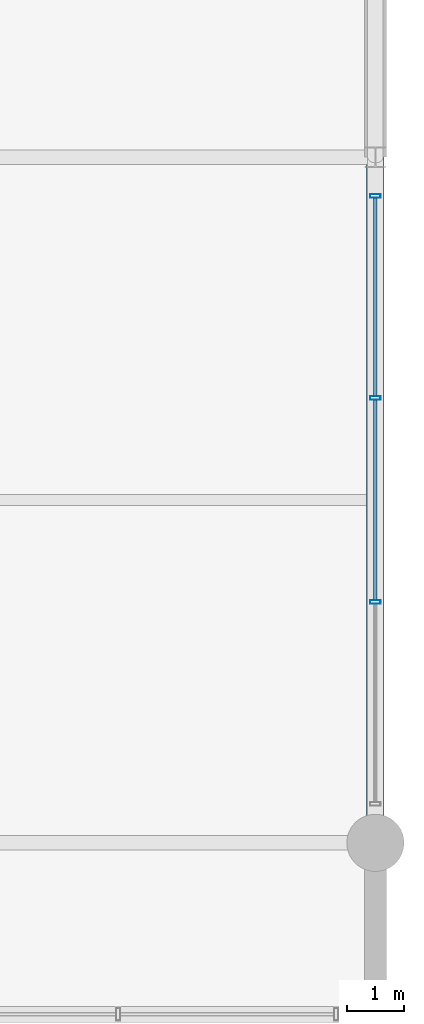
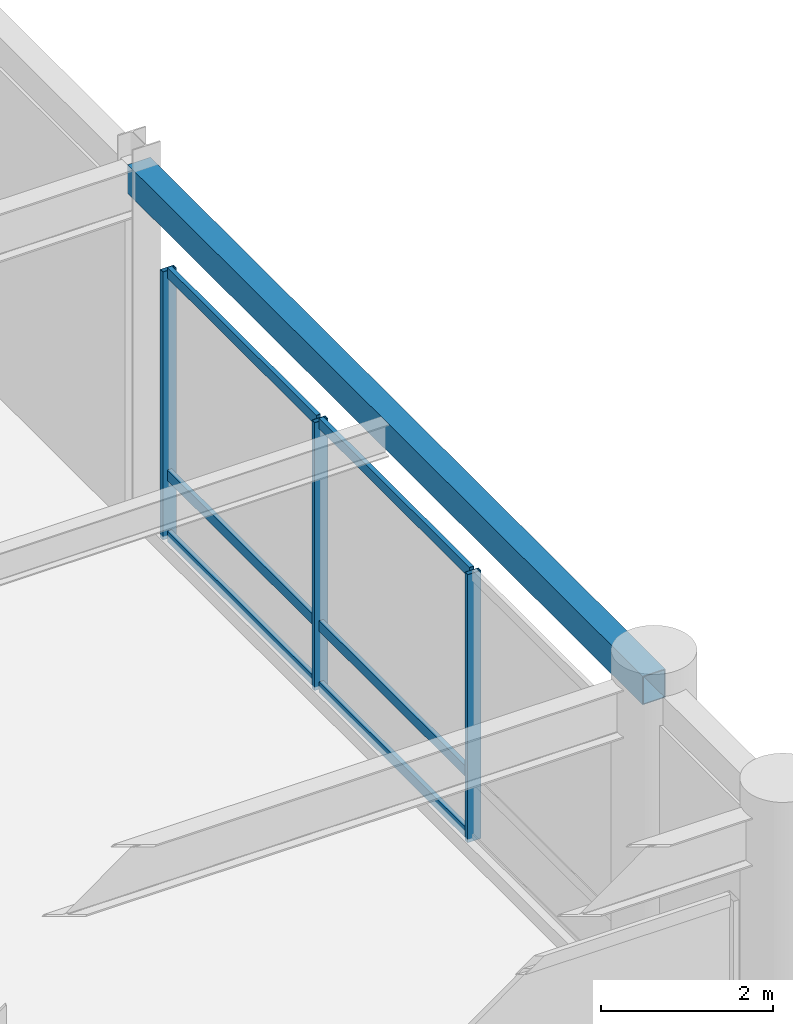
# One storey, part 66 of 100: 9 members, 1 beam, 1 element without a shape of its own.
"""IFC4 building model written with IfcOpenShell, lengths in metres."""

from ifc_helpers import new_model, si_unit, direction, frame, origin, origin_2d, place, context, subcontext, project, spatial, hollow_rectangle, extrude, material, material_profile, profile_set, type_object, element, aggregate, save


model = new_model("IFC4")

# Units and contexts
model_context = context("Model", 3, precision=1e-05, world=origin(), true_north=direction((0.0, 1.0)))
body_context = subcontext(model_context, "Body", "Model", "MODEL_VIEW")
ifc_project = project(units=[si_unit("LENGTHUNIT", "METRE"), si_unit("AREAUNIT", "SQUARE_METRE"), si_unit("VOLUMEUNIT", "CUBIC_METRE"), si_unit("PLANEANGLEUNIT", "RADIAN"), si_unit("MASSUNIT", "GRAM", prefix="KILO")], contexts=[model_context])

# Site, building, storey
site_placement = place(None, origin())
site = spatial("IfcSite", under=ifc_project, at=site_placement, CompositionType="ELEMENT")
building_placement = place(site_placement, origin())
building = spatial("IfcBuilding", under=site, at=building_placement, Name="Kaldorvane Square Convention Centre", CompositionType="ELEMENT")
storey_placement = place(building_placement, frame((0.0, 0.0, 18.0)))
storey = spatial("IfcBuildingStorey", under=building, at=storey_placement, Name="L03", CompositionType="ELEMENT", Elevation=18.0)

# Beam
ifc_material_1 = material(Name="Steel ASTM A500 Gr. C", Category="steel")
ifc_material_profile_1 = material_profile(ifc_material_1, hollow_rectangle(XDim=0.3047943115234375, YDim=0.406402587890625, WallThickness=0.0117950439453125, at=origin_2d()), Name="HSS16X12X1/2")
ifc_profile_set_1 = profile_set([ifc_material_profile_1], Name="Steel ASTM A500 Gr. C")
beam_type = type_object("IfcBeamType", Name="BM-SP-HSS16", PredefinedType="SPANDREL", material=ifc_profile_set_1)
beam_placement = place(storey_placement, frame((174.0, 84.0, 4.872802734375), z_axis=(0.0, 1.0, 0.0), x_axis=(-1.0, 0.0, 0.0)))
element("IfcBeam", 1, at=beam_placement, inside=storey, type_object=beam_type, Name="End Spandrel (L03)", PredefinedType="SPANDREL", context=body_context, shape_type="SweptSolid", body=[
    extrude(hollow_rectangle(XDim=0.3047943115234375, YDim=0.406402587890625, WallThickness=0.0117950439453125, at=origin_2d()), origin(), (0.0, 0.0, 1.0), 12.0),
])

# Curtain wall, members
ifc_material_2 = material(Name="Anodized Aluminum and Low-E Insulated Glazing", Category="aluminium")
curtain_wall_type = type_object("IfcCurtainWallType", Name="CW-UNI-P54-09", PredefinedType="USERDEFINED", material=ifc_material_2)
curtain_wall_placement = place(storey_placement, origin())
curtain_wall = element("IfcCurtainWall", 2, at=curtain_wall_placement, inside=storey, type_object=curtain_wall_type, Name="Curtain Wall CW-04 (L03)", ObjectType="UNITISED GLAZING", PredefinedType="USERDEFINED")
ifc_material_profile_2 = material_profile(ifc_material_2, hollow_rectangle(XDim=0.06500244140625, YDim=0.17999267578125, WallThickness=0.0034942626953125, at=origin_2d()), Name="CWM-180X65")
ifc_profile_set_2 = profile_set([ifc_material_profile_2], Name="Anodized Aluminum and Low-E Insulated Glazing")
member_type_1 = type_object("IfcMemberType", Name="CW-MUL-180", PredefinedType="MULLION", material=ifc_profile_set_2)
member_1_placement = place(storey_placement, frame((174.0, 88.21665954589844, 0.149993896484375), z_axis=(0.0, 0.0, 1.0), x_axis=(0.0, 1.0, 0.0)))
member_1 = element("IfcMember", 3, at=member_1_placement, type_object=member_type_1, Name="CW-04 mullion 2", PredefinedType="MULLION", context=body_context, shape_type="SweptSolid", body=[
    extrude(hollow_rectangle(XDim=0.06500244140625, YDim=0.17999267578125, WallThickness=0.0034942626953125, at=origin_2d()), origin(), (0.0, 0.0, 1.0), 3.8100128173828125),
])
member_2_placement = place(storey_placement, frame((174.0, 91.78334045410156, 0.149993896484375), z_axis=(0.0, 0.0, 1.0), x_axis=(0.0, 1.0, 0.0)))
member_2 = element("IfcMember", 4, at=member_2_placement, type_object=member_type_1, Name="CW-04 mullion 3", PredefinedType="MULLION", context=body_context, shape_type="SweptSolid", body=[
    extrude(hollow_rectangle(XDim=0.06500244140625, YDim=0.17999267578125, WallThickness=0.0034942626953125, at=origin_2d()), origin(), (0.0, 0.0, 1.0), 3.8100128173828125),
])
member_3_placement = place(storey_placement, frame((174.0, 95.3175048828125, 0.149993896484375), z_axis=(0.0, 0.0, 1.0), x_axis=(0.0, 1.0, 0.0)))
member_3 = element("IfcMember", 5, at=member_3_placement, type_object=member_type_1, Name="CW-04 mullion 4", PredefinedType="MULLION", context=body_context, shape_type="SweptSolid", body=[
    extrude(hollow_rectangle(XDim=0.06500244140625, YDim=0.17999267578125, WallThickness=0.0034942626953125, at=origin_2d()), origin(), (0.0, 0.0, 1.0), 3.8100128173828125),
])
ifc_material_profile_3 = material_profile(ifc_material_2, hollow_rectangle(XDim=0.05999755859375, YDim=0.149993896484375, WallThickness=0.003204345703125, at=origin_2d()), Name="CWT-150X60")
ifc_profile_set_3 = profile_set([ifc_material_profile_3], Name="Anodized Aluminum and Low-E Insulated Glazing")
member_type_2 = type_object("IfcMemberType", Name="CW-TRN-150", PredefinedType="USERDEFINED", material=ifc_profile_set_3)
member_4_placement = place(storey_placement, frame((174.0, 88.24916076660156, 0.17999267578125), z_axis=(0.0, 1.0, 0.0), x_axis=(-1.0, 0.0, 0.0)))
member_4 = element("IfcMember", 6, at=member_4_placement, type_object=member_type_2, Name="CW-04 transom 2.1", ObjectType="TRANSOM", PredefinedType="USERDEFINED", context=body_context, shape_type="SweptSolid", body=[
    extrude(hollow_rectangle(XDim=0.05999755859375, YDim=0.149993896484375, WallThickness=0.003204345703125, at=origin_2d()), origin(), (0.0, 0.0, 1.0), 3.501678466796875),
])
member_5_placement = place(storey_placement, frame((174.0, 88.24916076660156, 1.0500030517578125), z_axis=(0.0, 1.0, 0.0), x_axis=(-1.0, 0.0, 0.0)))
member_5 = element("IfcMember", 7, at=member_5_placement, type_object=member_type_2, Name="CW-04 transom 2.2", ObjectType="TRANSOM", PredefinedType="USERDEFINED", context=body_context, shape_type="SweptSolid", body=[
    extrude(hollow_rectangle(XDim=0.05999755859375, YDim=0.149993896484375, WallThickness=0.003204345703125, at=origin_2d()), origin(), (0.0, 0.0, 1.0), 3.501678466796875),
])
member_6_placement = place(storey_placement, frame((174.0, 88.24916076660156, 3.92999267578125), z_axis=(0.0, 1.0, 0.0), x_axis=(-1.0, 0.0, 0.0)))
member_6 = element("IfcMember", 8, at=member_6_placement, type_object=member_type_2, Name="CW-04 transom 2.3", ObjectType="TRANSOM", PredefinedType="USERDEFINED", context=body_context, shape_type="SweptSolid", body=[
    extrude(hollow_rectangle(XDim=0.05999755859375, YDim=0.149993896484375, WallThickness=0.003204345703125, at=origin_2d()), origin(), (0.0, 0.0, 1.0), 3.501678466796875),
])
member_7_placement = place(storey_placement, frame((174.0, 91.81582641601562, 0.17999267578125), z_axis=(0.0, 1.0, 0.0), x_axis=(-1.0, 0.0, 0.0)))
member_7 = element("IfcMember", 9, at=member_7_placement, type_object=member_type_2, Name="CW-04 transom 3.1", ObjectType="TRANSOM", PredefinedType="USERDEFINED", context=body_context, shape_type="SweptSolid", body=[
    extrude(hollow_rectangle(XDim=0.05999755859375, YDim=0.149993896484375, WallThickness=0.003204345703125, at=origin_2d()), origin(), (0.0, 0.0, 1.0), 3.46917724609375),
])
member_8_placement = place(storey_placement, frame((174.0, 91.81582641601562, 1.0500030517578125), z_axis=(0.0, 1.0, 0.0), x_axis=(-1.0, 0.0, 0.0)))
member_8 = element("IfcMember", 10, at=member_8_placement, type_object=member_type_2, Name="CW-04 transom 3.2", ObjectType="TRANSOM", PredefinedType="USERDEFINED", context=body_context, shape_type="SweptSolid", body=[
    extrude(hollow_rectangle(XDim=0.05999755859375, YDim=0.149993896484375, WallThickness=0.003204345703125, at=origin_2d()), origin(), (0.0, 0.0, 1.0), 3.46917724609375),
])
member_9_placement = place(storey_placement, frame((174.0, 91.81582641601562, 3.92999267578125), z_axis=(0.0, 1.0, 0.0), x_axis=(-1.0, 0.0, 0.0)))
member_9 = element("IfcMember", 11, at=member_9_placement, type_object=member_type_2, Name="CW-04 transom 3.3", ObjectType="TRANSOM", PredefinedType="USERDEFINED", context=body_context, shape_type="SweptSolid", body=[
    extrude(hollow_rectangle(XDim=0.05999755859375, YDim=0.149993896484375, WallThickness=0.003204345703125, at=origin_2d()), origin(), (0.0, 0.0, 1.0), 3.46917724609375),
])
aggregate(curtain_wall, [member_1, member_2, member_3, member_4, member_5, member_6, member_7, member_8, member_9])

save(model, "model.ifc")
